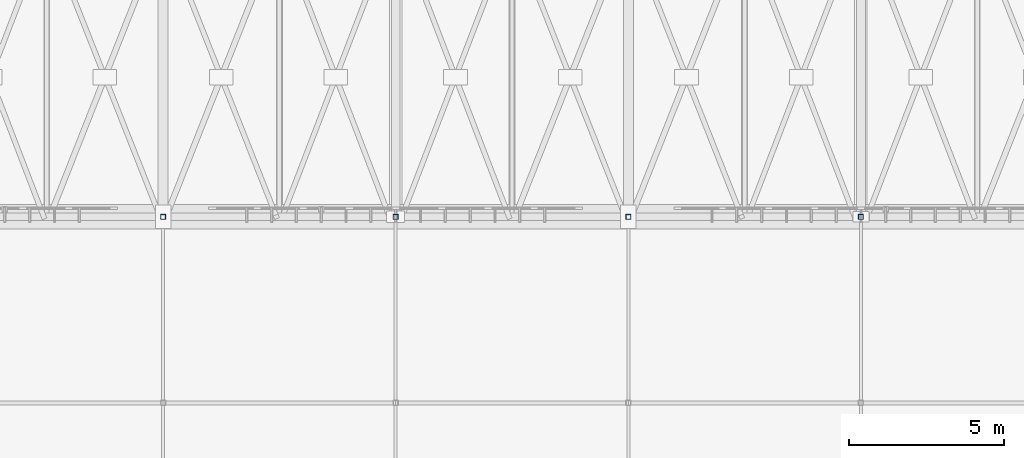
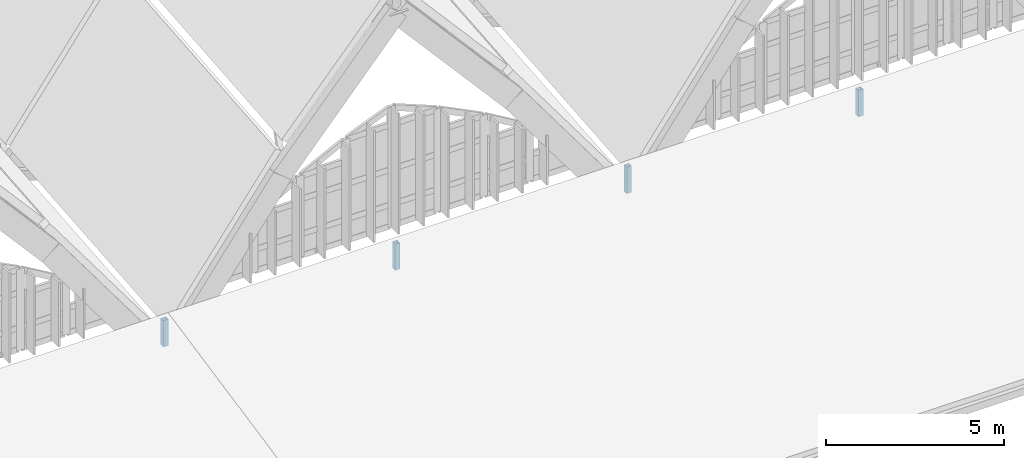
# One storey, part 15 of 93: 4 columns.
"""IFC4 building model written with IfcOpenShell, lengths in metres."""

from ifc_helpers import new_model, si_unit, direction, frame, origin, origin_2d, place, context, subcontext, project, spatial, hollow_rectangle, extrude, material, material_profile, profile_set, type_object, element, save


model = new_model("IFC4")

# Units and contexts
model_context = context("Model", 3, precision=1e-05, world=origin(), true_north=direction((0.0, 1.0)))
body_context = subcontext(model_context, "Body", "Model", "MODEL_VIEW")
ifc_project = project(units=[si_unit("LENGTHUNIT", "METRE"), si_unit("AREAUNIT", "SQUARE_METRE"), si_unit("VOLUMEUNIT", "CUBIC_METRE"), si_unit("PLANEANGLEUNIT", "RADIAN"), si_unit("MASSUNIT", "GRAM", prefix="KILO")], contexts=[model_context])

# Site, building, storey
site_placement = place(None, origin())
site = spatial("IfcSite", under=ifc_project, at=site_placement, CompositionType="ELEMENT")
building_placement = place(site_placement, origin())
building = spatial("IfcBuilding", under=site, at=building_placement, Name="Vourika Railside Aquatics Centre", CompositionType="ELEMENT")
storey_placement = place(building_placement, frame((0.0, 0.0, 21.89990234375)))
storey = spatial("IfcBuildingStorey", under=building, at=storey_placement, Name="Roof", CompositionType="ELEMENT", Elevation=21.89990234375)

# Columns
ifc_material = material(Name="Steel S355J2", Category="steel")
ifc_material_profile = material_profile(ifc_material, hollow_rectangle(XDim=0.159912109375, YDim=0.159912109375, WallThickness=0.008056640625, at=origin_2d()), Name="SHS 160x160x8")
ifc_profile_set = profile_set([ifc_material_profile], Name="Steel S355J2")
column_type = type_object("IfcColumnType", Name="COL-STL-SHS160", PredefinedType="COLUMN", material=ifc_profile_set)
for number, where, z_axis, x_axis, name in (
    (1, (96.0, 12.0, -11.14990234375), (0.0, 0.0, 1.0), (1.0, 0.0, 0.0), "Changing Roof Ridge Post (96.0,12.0)"),
    (2, (103.5, 12.0, -11.14990234375), (0.0, 0.0, 1.0), (1.0, 0.0, 0.0), "Changing Roof Ridge Post (103.5,12.0)"),
    (3, (111.0, 12.0, -11.14990234375), (0.0, 0.0, 1.0), (1.0, 0.0, 0.0), "Changing Roof Ridge Post (111.0,12.0)"),
    (4, (118.5, 12.0, -11.14990234375), (0.0, 0.0, 1.0), (1.0, 0.0, 0.0), "Changing Roof Ridge Post (118.5,12.0)"),
):
    element("IfcColumn", number, at=place(storey_placement, frame(where, z_axis=z_axis, x_axis=x_axis)), inside=storey, type_object=column_type, Name=name, PredefinedType="COLUMN", context=body_context, shape_type="SweptSolid", body=[
        extrude(hollow_rectangle(XDim=0.159912109375, YDim=0.159912109375, WallThickness=0.008056640625, at=origin_2d()), origin(), (0.0, 0.0, 1.0), 0.89990234375),
    ])

save(model, "model.ifc")
